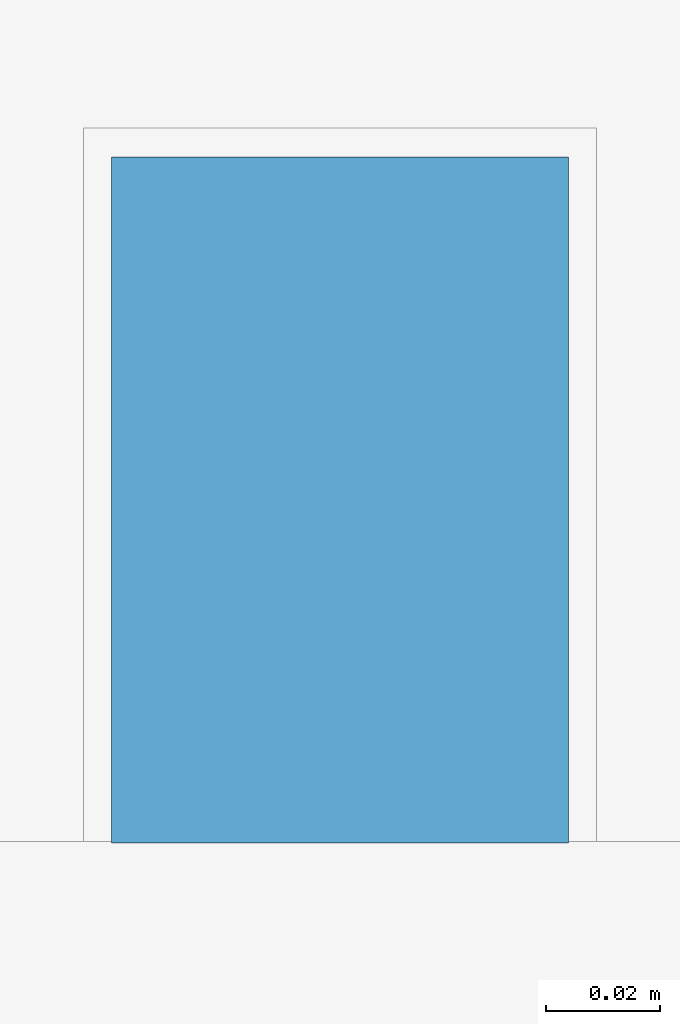
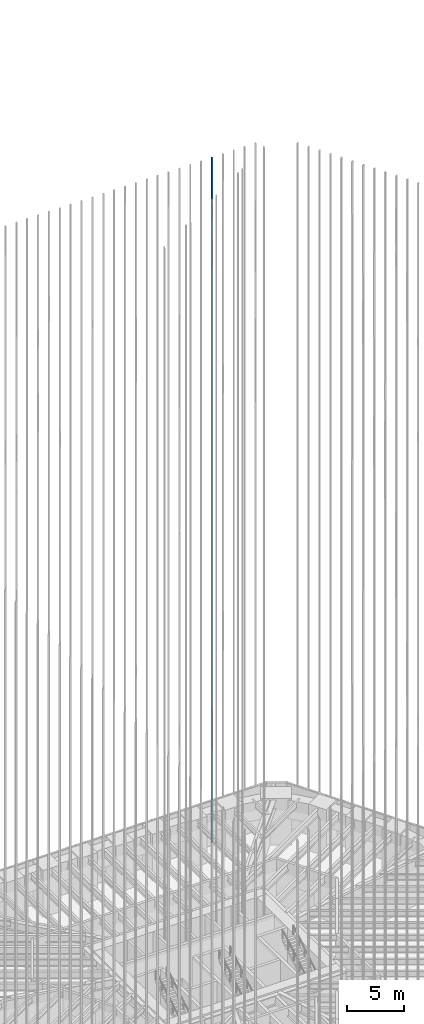
# One storey, part 211 of 228: 1 member, 1 element without a shape of its own.
"""IFC4 building model written with IfcOpenShell, lengths in metres."""

from ifc_helpers import new_model, si_unit, direction, frame, origin, origin_2d, place, context, subcontext, project, spatial, rectangle, extrude, material, material_profile, profile_set, type_object, element, aggregate, save


model = new_model("IFC4")

# Units and contexts
model_context = context("Model", 3, precision=1e-05, world=origin(), true_north=direction((0.0, 1.0)))
body_context = subcontext(model_context, "Body", "Model", "MODEL_VIEW")
ifc_project = project(units=[si_unit("LENGTHUNIT", "METRE"), si_unit("AREAUNIT", "SQUARE_METRE"), si_unit("VOLUMEUNIT", "CUBIC_METRE"), si_unit("PLANEANGLEUNIT", "RADIAN"), si_unit("MASSUNIT", "GRAM", prefix="KILO")], contexts=[model_context])

# Site, building, storey
site_placement = place(None, origin())
site = spatial("IfcSite", under=ifc_project, at=site_placement, CompositionType="ELEMENT")
building_placement = place(site_placement, origin())
building = spatial("IfcBuilding", under=site, at=building_placement, Name="Sandreach Pilgrim Tower", CompositionType="ELEMENT")
storey_placement = place(building_placement, frame((0.0, 0.0, 178.199951171875)))
storey = spatial("IfcBuildingStorey", under=building, at=storey_placement, Name="L44", CompositionType="ELEMENT", Elevation=178.199951171875)

# Curtain wall, member
ifc_material_1 = material(Name="Aluminium framed curtain wall", Category="aluminium")
curtain_wall_type = type_object("IfcCurtainWallType", Name="Upper hotel tower curtain wall", PredefinedType="NOTDEFINED", material=ifc_material_1)
curtain_wall_placement = place(storey_placement, origin())
curtain_wall = element("IfcCurtainWall", 1, at=curtain_wall_placement, inside=storey, type_object=curtain_wall_type, Name="CW-3 L44 N", PredefinedType="NOTDEFINED")
ifc_material_2 = material(Name="Extruded terracotta on aluminium core", Category="masonry")
ifc_material_profile = material_profile(ifc_material_2, rectangle(XDim=0.080078125, YDim=0.1201171875, at=origin_2d()), Name="TBN 80X120")
ifc_profile_set = profile_set([ifc_material_profile], Name="Extruded terracotta on aluminium core")
member_type = type_object("IfcMemberType", Name="Terracotta baguette north", PredefinedType="USERDEFINED", material=ifc_profile_set)
member_placement = place(storey_placement, frame((12.098388671875, 21.52001953125, 0.0), z_axis=(0.0, 0.0, 1.0), x_axis=(1.0, 0.0, 0.0)))
member = element("IfcMember", 2, at=member_placement, type_object=member_type, Name="Baguette Z3 N27", ObjectType="BAGUETTE", PredefinedType="USERDEFINED", context=body_context, shape_type="SweptSolid", body=[
    extrude(rectangle(XDim=0.080078125, YDim=0.1201171875, at=origin_2d()), origin(), (0.0, 0.0, 1.0), 73.239990234375),
])
aggregate(curtain_wall, [member])

save(model, "model.ifc")
